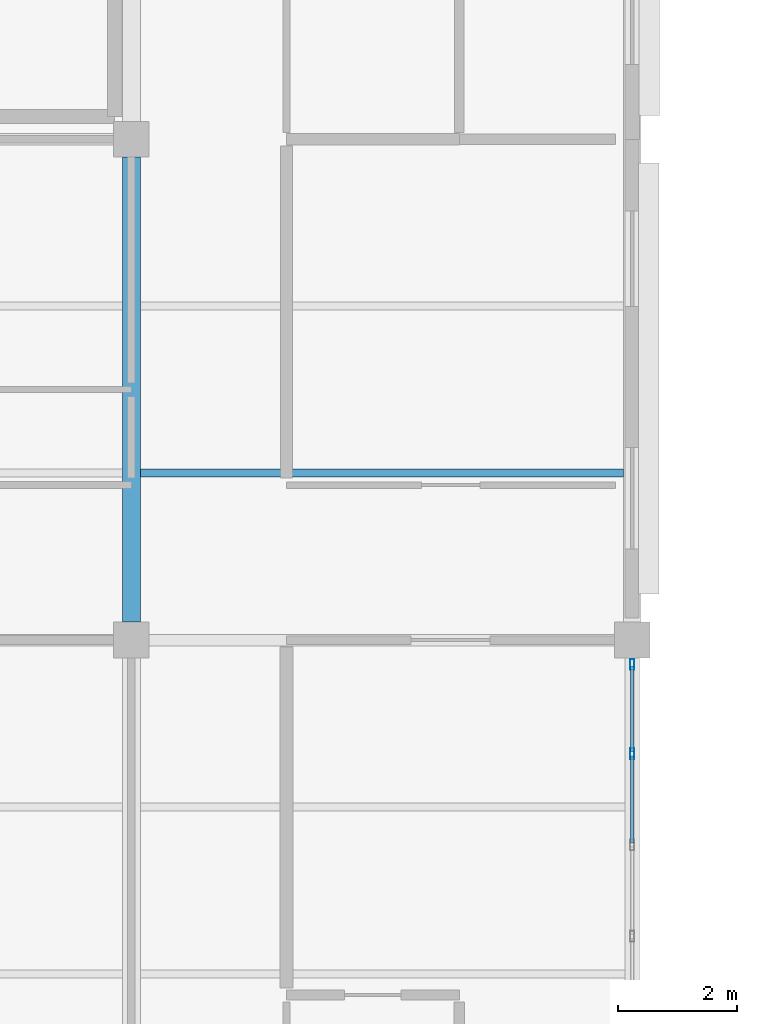
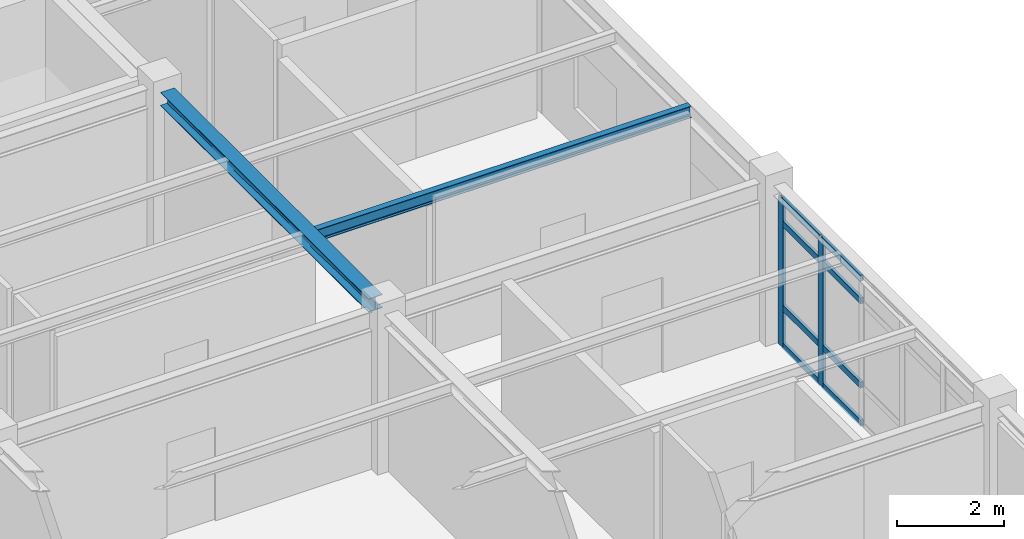
# One storey, part 15 of 70: 10 members, 2 beams, 1 element without a shape of its own.
"""IFC4 building model written with IfcOpenShell, lengths in metres."""

from ifc_helpers import new_model, si_unit, direction, frame, origin, origin_2d, place, context, subcontext, project, spatial, hollow_rectangle, i_section, extrude, material, layer, layer_set, material_profile, profile_set, type_object, element, aggregate, save


model = new_model("IFC4")

# Units and contexts
model_context = context("Model", 3, precision=1e-05, world=origin(), true_north=direction((0.0, 1.0)))
body_context = subcontext(model_context, "Body", "Model", "MODEL_VIEW")
ifc_project = project(units=[si_unit("LENGTHUNIT", "METRE"), si_unit("AREAUNIT", "SQUARE_METRE"), si_unit("VOLUMEUNIT", "CUBIC_METRE"), si_unit("PLANEANGLEUNIT", "RADIAN"), si_unit("MASSUNIT", "GRAM", prefix="KILO")], contexts=[model_context])

# Site, building, storey
site_placement = place(None, origin())
site = spatial("IfcSite", under=ifc_project, at=site_placement, CompositionType="ELEMENT")
building_placement = place(site_placement, origin())
building = spatial("IfcBuilding", under=site, at=building_placement, Name="Bramfleet General Hospital", CompositionType="ELEMENT")
storey_placement = place(building_placement, frame((0.0, 0.0, 22.5)))
storey = spatial("IfcBuildingStorey", under=building, at=storey_placement, Name="L05", CompositionType="ELEMENT", Elevation=22.5)

# Beams
ifc_material_1 = material(Name="Steel S355", Category="steel")
ifc_material_profile_1 = material_profile(ifc_material_1, i_section(OverallWidth=0.300048828125, OverallDepth=0.31005859375, WebThickness=0.009033203125, FlangeThickness=0.015380859375, FilletRadius=0.027099609375, at=origin_2d()), Name="HEA 320")
ifc_profile_set_1 = profile_set([ifc_material_profile_1], Name="Steel S355")
beam_type_1 = type_object("IfcBeamType", Name="BM-HEA320", PredefinedType="BEAM", material=ifc_profile_set_1)
beam_1_placement = place(storey_placement, frame((109.199951171875, 59.10009765625, 3.465087890625), z_axis=(0.0, 1.0, 0.0), x_axis=(-1.0, 0.0, 0.0)))
element("IfcBeam", 1, at=beam_1_placement, inside=storey, type_object=beam_type_1, Name="L05 Grid Beam Y 13-07", PredefinedType="BEAM", context=body_context, shape_type="SweptSolid", body=[
    extrude(i_section(OverallWidth=0.300048828125, OverallDepth=0.31005859375, WebThickness=0.009033203125, FlangeThickness=0.015380859375, FilletRadius=0.027099609375, at=origin_2d()), origin(), (0.0, 0.0, 1.0), 7.7998046875),
])
ifc_material_profile_2 = material_profile(ifc_material_1, i_section(OverallWidth=0.135009765625, OverallDepth=0.27001953125, WebThickness=0.006591796875, FlangeThickness=0.01025390625, FilletRadius=0.014892578125, at=origin_2d()), Name="IPE 270")
ifc_profile_set_2 = profile_set([ifc_material_profile_2], Name="Steel S355")
beam_type_2 = type_object("IfcBeamType", Name="BM-IPE270", PredefinedType="JOIST", material=ifc_profile_set_2)
beam_2_placement = place(storey_placement, frame((109.35009765625, 61.60009765625, 3.485107421875), z_axis=(1.0, 0.0, 0.0), x_axis=(0.0, 1.0, 0.0)))
element("IfcBeam", 2, at=beam_2_placement, inside=storey, type_object=beam_type_2, Name="L05 Secondary Joist 13-07-1", PredefinedType="JOIST", context=body_context, shape_type="SweptSolid", body=[
    extrude(i_section(OverallWidth=0.135009765625, OverallDepth=0.27001953125, WebThickness=0.006591796875, FlangeThickness=0.01025390625, FilletRadius=0.014892578125, at=origin_2d()), origin(), (0.0, 0.0, 1.0), 8.099853515625),
])

# Curtain wall, members
ifc_material_2 = material(Name="Anodised aluminium and low-E triple glazing", Category="aluminium")
ifc_layer = layer(ifc_material_2, 0.179931640625, Name="CWT-CW-09")
ifc_layer_set = layer_set([ifc_layer], Name="Anodised aluminium and low-E triple glazing")
curtain_wall_type = type_object("IfcCurtainWallType", Name="CWT-CW-09", PredefinedType="USERDEFINED", material=ifc_layer_set)
curtain_wall_placement = place(storey_placement, origin())
curtain_wall = element("IfcCurtainWall", 3, at=curtain_wall_placement, inside=storey, type_object=curtain_wall_type, Name="L05 Curtain Wall 207", ObjectType="Unitised curtain wall", PredefinedType="USERDEFINED")
ifc_material_3 = material(Name="Anodised aluminium EN AW-6060", Category="aluminium")
ifc_material_profile_3 = material_profile(ifc_material_3, hollow_rectangle(XDim=0.070068359375, YDim=0.179931640625, WallThickness=0.00390625, at=origin_2d()), Name="ALU 180x70x4.0")
ifc_profile_set_3 = profile_set([ifc_material_profile_3], Name="Anodised aluminium EN AW-6060")
member_type_1 = type_object("IfcMemberType", Name="CWM-ALU180", PredefinedType="MULLION", material=ifc_profile_set_3)
member_1_placement = place(storey_placement, frame((117.60009765625, 58.389892578125, 0.0), z_axis=(0.0, 0.0, 1.0), x_axis=(1.0, 0.0, 0.0)))
member_1 = element("IfcMember", 4, at=member_1_placement, type_object=member_type_1, Name="CW-09 mullion 1", PredefinedType="MULLION", context=body_context, shape_type="SweptSolid", body=[
    extrude(hollow_rectangle(XDim=0.070068359375, YDim=0.179931640625, WallThickness=0.00390625, at=origin_2d()), origin(), (0.0, 0.0, 1.0), 3.3798828125),
])
member_2_placement = place(storey_placement, frame((117.60009765625, 56.89501953125, 0.0), z_axis=(0.0, 0.0, 1.0), x_axis=(1.0, 0.0, 0.0)))
member_2 = element("IfcMember", 5, at=member_2_placement, type_object=member_type_1, Name="CW-09 mullion 2", PredefinedType="MULLION", context=body_context, shape_type="SweptSolid", body=[
    extrude(hollow_rectangle(XDim=0.070068359375, YDim=0.179931640625, WallThickness=0.00390625, at=origin_2d()), origin(), (0.0, 0.0, 1.0), 3.3798828125),
])
ifc_material_profile_4 = material_profile(ifc_material_3, hollow_rectangle(XDim=0.06494140625, YDim=0.139892578125, WallThickness=0.00390625, at=origin_2d()), Name="ALU 140x65x4.0")
ifc_profile_set_4 = profile_set([ifc_material_profile_4], Name="Anodised aluminium EN AW-6060")
member_type_2 = type_object("IfcMemberType", Name="CWT-ALU140", PredefinedType="USERDEFINED", material=ifc_profile_set_4)
member_3_placement = place(storey_placement, frame((117.60009765625, 58.35498046875, 0.032470703125), z_axis=(0.0, -1.0, 0.0), x_axis=(1.0, 0.0, 0.0)))
member_3 = element("IfcMember", 6, at=member_3_placement, type_object=member_type_2, Name="CW-09 transom 1.1", ObjectType="TRANSOM", PredefinedType="USERDEFINED", context=body_context, shape_type="SweptSolid", body=[
    extrude(hollow_rectangle(XDim=0.06494140625, YDim=0.139892578125, WallThickness=0.00390625, at=origin_2d()), origin(), (0.0, 0.0, 1.0), 1.425048828125),
])
member_4_placement = place(storey_placement, frame((117.60009765625, 58.35498046875, 0.89990234375), z_axis=(0.0, -1.0, 0.0), x_axis=(1.0, 0.0, 0.0)))
member_4 = element("IfcMember", 7, at=member_4_placement, type_object=member_type_2, Name="CW-09 transom 1.2", ObjectType="TRANSOM", PredefinedType="USERDEFINED", context=body_context, shape_type="SweptSolid", body=[
    extrude(hollow_rectangle(XDim=0.06494140625, YDim=0.139892578125, WallThickness=0.00390625, at=origin_2d()), origin(), (0.0, 0.0, 1.0), 1.425048828125),
])
member_5_placement = place(storey_placement, frame((117.60009765625, 58.35498046875, 2.830078125), z_axis=(0.0, -1.0, 0.0), x_axis=(1.0, 0.0, 0.0)))
member_5 = element("IfcMember", 8, at=member_5_placement, type_object=member_type_2, Name="CW-09 transom 1.3", ObjectType="TRANSOM", PredefinedType="USERDEFINED", context=body_context, shape_type="SweptSolid", body=[
    extrude(hollow_rectangle(XDim=0.06494140625, YDim=0.139892578125, WallThickness=0.00390625, at=origin_2d()), origin(), (0.0, 0.0, 1.0), 1.425048828125),
])
member_6_placement = place(storey_placement, frame((117.60009765625, 58.35498046875, 3.347412109375), z_axis=(0.0, -1.0, 0.0), x_axis=(1.0, 0.0, 0.0)))
member_6 = element("IfcMember", 9, at=member_6_placement, type_object=member_type_2, Name="CW-09 transom 1.4", ObjectType="TRANSOM", PredefinedType="USERDEFINED", context=body_context, shape_type="SweptSolid", body=[
    extrude(hollow_rectangle(XDim=0.06494140625, YDim=0.139892578125, WallThickness=0.00390625, at=origin_2d()), origin(), (0.0, 0.0, 1.0), 1.425048828125),
])
member_7_placement = place(storey_placement, frame((117.60009765625, 56.860107421875, 0.032470703125), z_axis=(0.0, -1.0, 0.0), x_axis=(1.0, 0.0, 0.0)))
member_7 = element("IfcMember", 10, at=member_7_placement, type_object=member_type_2, Name="CW-09 transom 2.1", ObjectType="TRANSOM", PredefinedType="USERDEFINED", context=body_context, shape_type="SweptSolid", body=[
    extrude(hollow_rectangle(XDim=0.06494140625, YDim=0.139892578125, WallThickness=0.00390625, at=origin_2d()), origin(), (0.0, 0.0, 1.0), 1.460205078125),
])
member_8_placement = place(storey_placement, frame((117.60009765625, 56.860107421875, 0.89990234375), z_axis=(0.0, -1.0, 0.0), x_axis=(1.0, 0.0, 0.0)))
member_8 = element("IfcMember", 11, at=member_8_placement, type_object=member_type_2, Name="CW-09 transom 2.2", ObjectType="TRANSOM", PredefinedType="USERDEFINED", context=body_context, shape_type="SweptSolid", body=[
    extrude(hollow_rectangle(XDim=0.06494140625, YDim=0.139892578125, WallThickness=0.00390625, at=origin_2d()), origin(), (0.0, 0.0, 1.0), 1.460205078125),
])
member_9_placement = place(storey_placement, frame((117.60009765625, 56.860107421875, 2.830078125), z_axis=(0.0, -1.0, 0.0), x_axis=(1.0, 0.0, 0.0)))
member_9 = element("IfcMember", 12, at=member_9_placement, type_object=member_type_2, Name="CW-09 transom 2.3", ObjectType="TRANSOM", PredefinedType="USERDEFINED", context=body_context, shape_type="SweptSolid", body=[
    extrude(hollow_rectangle(XDim=0.06494140625, YDim=0.139892578125, WallThickness=0.00390625, at=origin_2d()), origin(), (0.0, 0.0, 1.0), 1.460205078125),
])
member_10_placement = place(storey_placement, frame((117.60009765625, 56.860107421875, 3.347412109375), z_axis=(0.0, -1.0, 0.0), x_axis=(1.0, 0.0, 0.0)))
member_10 = element("IfcMember", 13, at=member_10_placement, type_object=member_type_2, Name="CW-09 transom 2.4", ObjectType="TRANSOM", PredefinedType="USERDEFINED", context=body_context, shape_type="SweptSolid", body=[
    extrude(hollow_rectangle(XDim=0.06494140625, YDim=0.139892578125, WallThickness=0.00390625, at=origin_2d()), origin(), (0.0, 0.0, 1.0), 1.460205078125),
])
aggregate(curtain_wall, [member_1, member_2, member_3, member_4, member_5, member_6, member_7, member_8, member_9, member_10])

save(model, "model.ifc")
